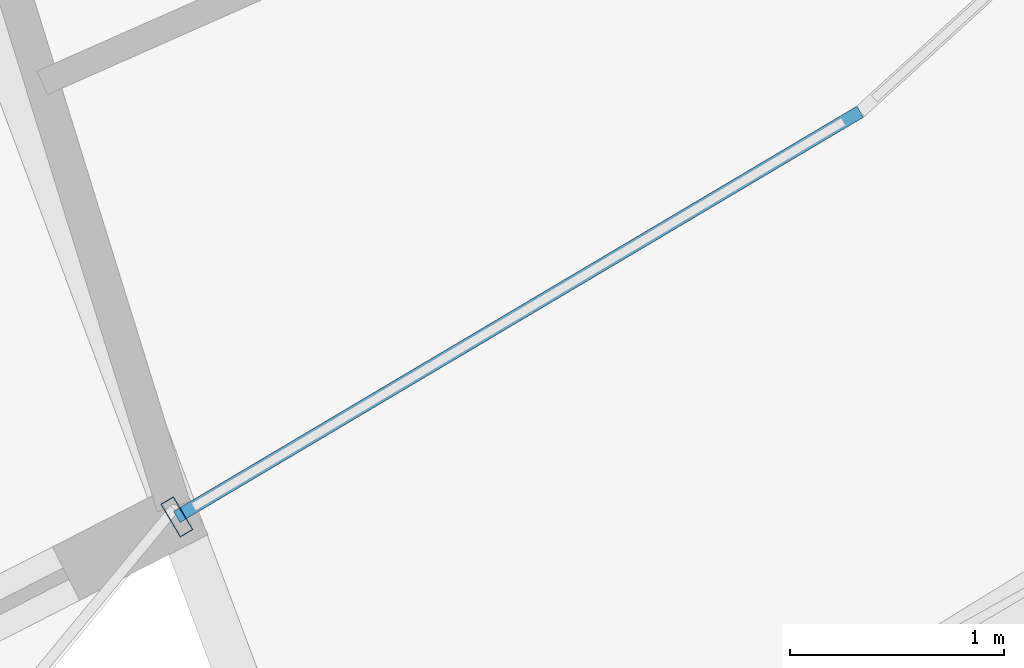
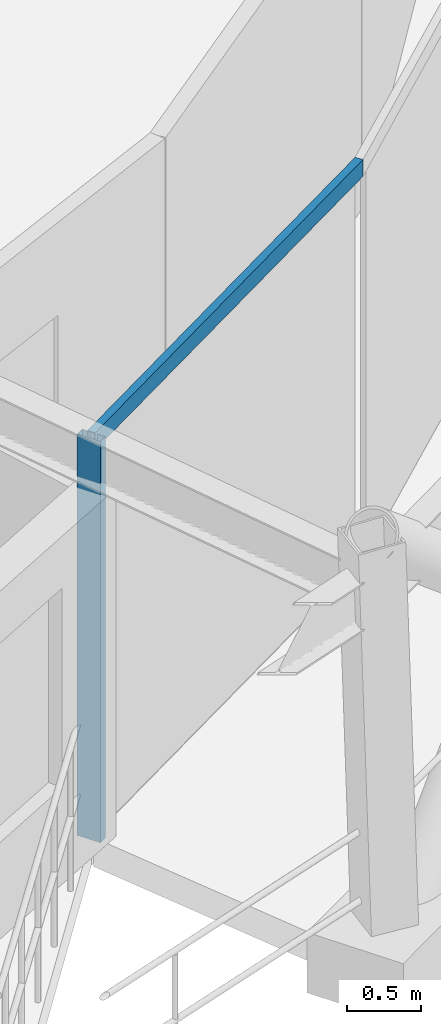
# One storey, part 2 of 15: 2 members, 1 element without a shape of its own.
"""IFC4 building model written with IfcOpenShell, lengths in metres."""

from ifc_helpers import new_model, si_unit, direction, frame, origin, origin_2d, place, context, subcontext, project, spatial, hollow_rectangle, extrude, material, layer, layer_set, material_profile, profile_set, type_object, element, aggregate, save


model = new_model("IFC4")

# Units and contexts
model_context = context("Model", 3, precision=1e-05, world=origin(), true_north=direction((0.0, 1.0)))
body_context = subcontext(model_context, "Body", "Model", "MODEL_VIEW")
ifc_project = project(units=[si_unit("LENGTHUNIT", "METRE"), si_unit("AREAUNIT", "SQUARE_METRE"), si_unit("VOLUMEUNIT", "CUBIC_METRE"), si_unit("PLANEANGLEUNIT", "RADIAN"), si_unit("MASSUNIT", "GRAM", prefix="KILO")], contexts=[model_context])

# Site, building, storey
site_placement = place(None, origin())
site = spatial("IfcSite", under=ifc_project, at=site_placement, CompositionType="ELEMENT")
building_placement = place(site_placement, origin())
building = spatial("IfcBuilding", under=site, at=building_placement, Name="Veldorina Hangang Commons", CompositionType="ELEMENT")
storey_placement = place(building_placement, frame((0.0, 0.0, 276.0)))
storey = spatial("IfcBuildingStorey", under=building, at=storey_placement, Name="L72", CompositionType="ELEMENT", Elevation=276.0)

# Curtain wall, members
ifc_material_1 = material(Name="Glass Low-E Selective", Category="glass")
ifc_layer = layer(ifc_material_1, 0.179931640625)
ifc_layer_set = layer_set([ifc_layer], Name="Glass Low-E Selective")
curtain_wall_type = type_object("IfcCurtainWallType", Name="CW-SYS-Z3", PredefinedType="NOTDEFINED", material=ifc_layer_set)
curtain_wall_placement = place(storey_placement, origin())
curtain_wall = element("IfcCurtainWall", 1, at=curtain_wall_placement, inside=storey, type_object=curtain_wall_type, Name="L72 unitised curtain wall CW-L72-R1", PredefinedType="NOTDEFINED")
ifc_material_2 = material(Name="Aluminium Anodized AA6063-T6", Category="aluminium")
ifc_material_profile_1 = material_profile(ifc_material_2, hollow_rectangle(XDim=0.070068359375, YDim=0.179931640625, WallThickness=0.00390625, at=origin_2d()), Name="ALU-RHS-180x70x4")
ifc_profile_set_1 = profile_set([ifc_material_profile_1], Name="Aluminium Anodized AA6063-T6")
member_type_1 = type_object("IfcMemberType", Name="CW-MUL-180", PredefinedType="MULLION", material=ifc_profile_set_1)
member_1_placement = place(storey_placement, frame((39.0546875, 5.104248046875, 0.0), z_axis=(0.0, 0.0, 1.0), x_axis=(0.860137278432, 0.510062606207, 0.0)))
member_1 = element("IfcMember", 2, at=member_1_placement, type_object=member_type_1, Name="CW-L72-R1 vertical mullion 1", PredefinedType="MULLION", context=body_context, shape_type="SweptSolid", body=[
    extrude(hollow_rectangle(XDim=0.070068359375, YDim=0.179931640625, WallThickness=0.00390625, at=origin_2d()), origin(), (0.0, 0.0, 1.0), 3.320068359375),
])
ifc_material_profile_2 = material_profile(ifc_material_2, hollow_rectangle(XDim=0.06005859375, YDim=0.139892578125, WallThickness=0.00341796875, at=origin_2d()), Name="ALU-RHS-140x60x3.5")
ifc_profile_set_2 = profile_set([ifc_material_profile_2], Name="Aluminium Anodized AA6063-T6")
member_type_2 = type_object("IfcMemberType", Name="CW-TRN-140", PredefinedType="USERDEFINED", material=ifc_profile_set_2)
member_2_placement = place(storey_placement, frame((39.0546875, 5.104248046875, 3.280029296875), z_axis=(0.86015558173, 0.510031739423, 0.0), x_axis=(-0.510031739423, 0.86015558173, 0.0)))
member_2 = element("IfcMember", 3, at=member_2_placement, type_object=member_type_2, Name="CW-L72-R1 facet 1 transom 1", ObjectType="TRANSOM", PredefinedType="USERDEFINED", context=body_context, shape_type="SweptSolid", body=[
    extrude(hollow_rectangle(XDim=0.06005859375, YDim=0.139892578125, WallThickness=0.00341796875, at=origin_2d()), origin(), (0.0, 0.0, 1.0), 3.705322265625),
])
aggregate(curtain_wall, [member_1, member_2])

save(model, "model.ifc")
